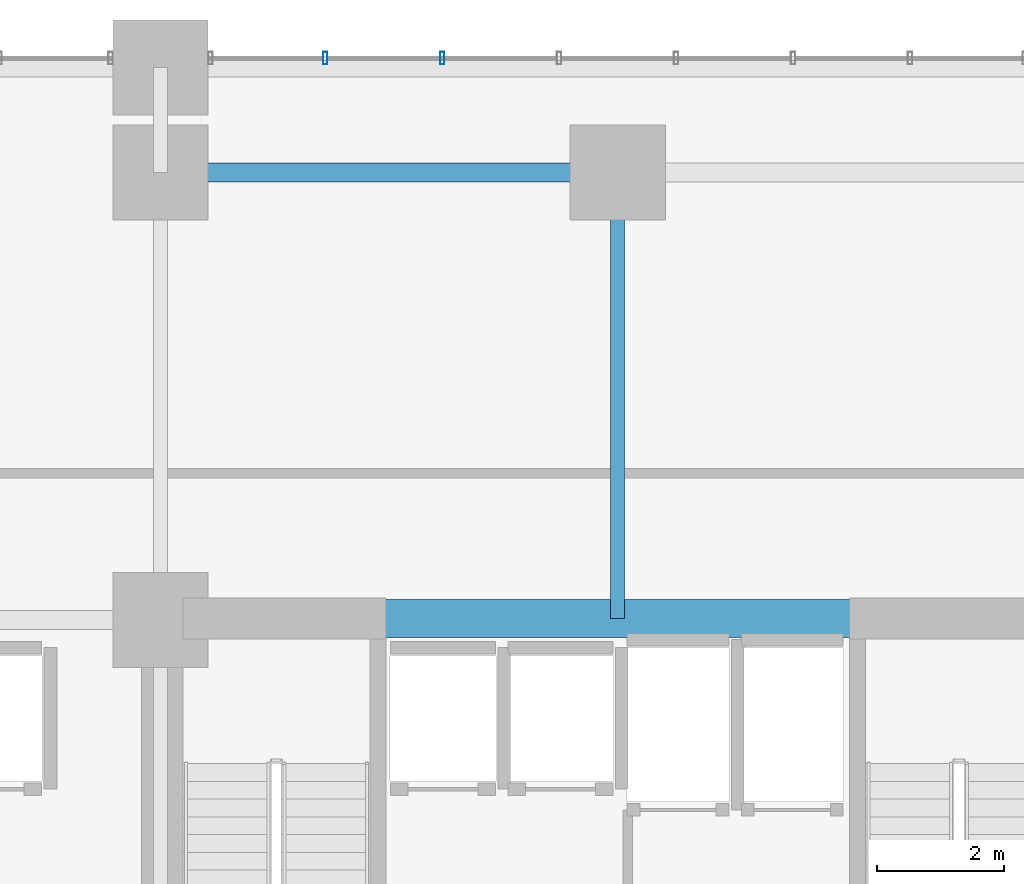
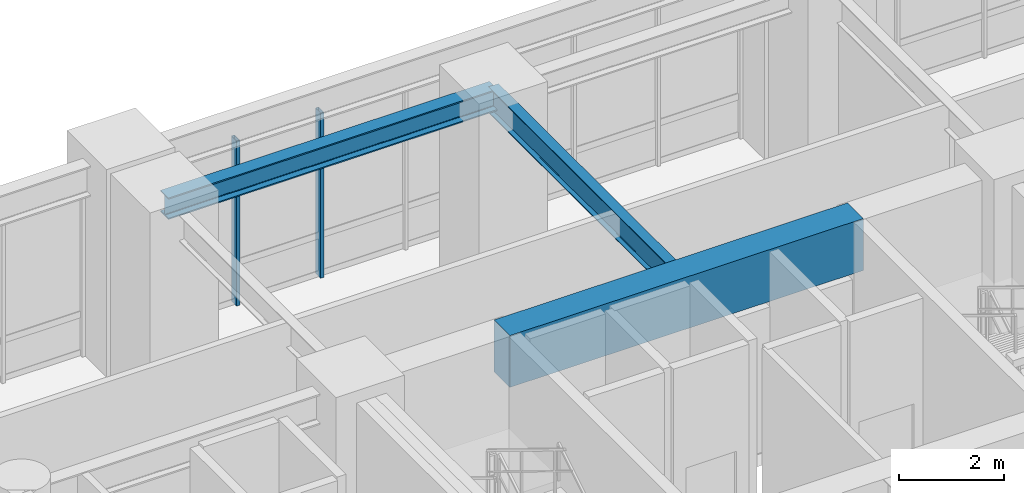
# One storey, part 4 of 22: 3 beams, 2 members, 1 element without a shape of its own.
"""IFC4 building model written with IfcOpenShell, lengths in metres."""

import ifcopenshell
import ifcopenshell.guid

model = None  # the IFC model being written
_history = None  # IfcOwnerHistory: only IFC2X3 demands one
_inside = {}  # id of a spatial element -> (the spatial element, [elements in it])
_under = {}  # id of a project, library or spatial element -> (it, [spatial elements below it])
_declared = {}  # id of a project -> (the project, [libraries it declares])
_typed = {}  # id of a type object -> (the type object, [elements of that type])
_made_of = {}  # id of a material, layer set ... -> (it, [elements and type objects made of it])


def new_model(schema):
    """Start an empty IFC model of exactly this schema.

    Asked for "IFC4X3", IfcOpenShell would pick the latest addendum, in which some entities
    have other attributes; the version numbers below select the first issue.
    IFC2X3 requires an IfcOwnerHistory on every rooted entity: one is made here for all.
    """
    global model, _history
    if schema == "IFC4X3":
        model = ifcopenshell.file(schema_version=(4, 3, 0, 0))
    else:
        model = ifcopenshell.file(schema=schema)
    _inside.clear()
    _under.clear()
    _declared.clear()
    _typed.clear()
    _made_of.clear()
    _history = None
    if model.schema == "IFC2X3":
        org = make("IfcOrganization", Name="unknown")
        user = make(
            "IfcPersonAndOrganization",
            ThePerson=make("IfcPerson", FamilyName="unknown"),
            TheOrganization=org,
        )
        app = make(
            "IfcApplication",
            ApplicationDeveloper=org,
            Version="unknown",
            ApplicationFullName="unknown",
            ApplicationIdentifier="unknown",
        )
        _history = make(
            "IfcOwnerHistory",
            OwningUser=user,
            OwningApplication=app,
            ChangeAction="ADDED",
            CreationDate=0,
        )
    return model


def make(cls, **values):
    """One entity of the class cls with the attributes given. An attribute that is None is left unset."""
    return model.create_entity(
        cls, **{name: value for name, value in values.items() if value is not None}
    )


def rooted(cls, **values):
    """An entity with a GlobalId (a new one), such as an element, a storey or a relation."""
    return make(cls, GlobalId=ifcopenshell.guid.new(), OwnerHistory=_history, **values)


def si_unit(unit_type, name, prefix=None):
    """IfcSIUnit, for example si_unit("LENGTHUNIT", "METRE", prefix="MILLI")."""
    return make("IfcSIUnit", UnitType=unit_type, Prefix=prefix, Name=name)


def assignment(units):
    """IfcUnitAssignment: the units of a project."""
    return None if units is None else make("IfcUnitAssignment", Units=units)


def point(xyz):
    """IfcCartesianPoint."""
    return None if xyz is None else make("IfcCartesianPoint", Coordinates=xyz)


def direction(xyz):
    """IfcDirection."""
    return None if xyz is None else make("IfcDirection", DirectionRatios=xyz)


def frame(location, z_axis=None, x_axis=None):
    """IfcAxis2Placement3D, a coordinate frame: its origin and axes. An axis left out is left unset."""
    return make(
        "IfcAxis2Placement3D",
        Location=point(location),
        Axis=direction(z_axis),
        RefDirection=direction(x_axis),
    )


def frame_2d(location, x_axis=None):
    """IfcAxis2Placement2D, a coordinate frame in the plane: its origin and x axis."""
    return make(
        "IfcAxis2Placement2D", Location=point(location), RefDirection=direction(x_axis)
    )


def origin():
    """The frame at (0, 0, 0) with its axes left unset."""
    return frame((0.0, 0.0, 0.0))


def origin_2d():
    """The frame at (0, 0) in the plane with its x axis left unset."""
    return frame_2d((0.0, 0.0))


def place(relative_to, where):
    """IfcLocalPlacement: puts the frame where relative to a parent placement (None: the world)."""
    return make(
        "IfcLocalPlacement", PlacementRelTo=relative_to, RelativePlacement=where
    )


def context(
    kind, dimensions, precision=None, world=None, true_north=None, identifier=None
):
    """IfcGeometricRepresentationContext, for example the 3D "Model" context."""
    return make(
        "IfcGeometricRepresentationContext",
        ContextIdentifier=identifier,
        ContextType=kind,
        CoordinateSpaceDimension=dimensions,
        Precision=precision,
        WorldCoordinateSystem=world,
        TrueNorth=true_north,
    )


def subcontext(parent, identifier, kind, view, scale=None):
    """IfcGeometricRepresentationSubContext, for example "Body" below "Model"."""
    return make(
        "IfcGeometricRepresentationSubContext",
        ContextIdentifier=identifier,
        ContextType=kind,
        ParentContext=parent,
        TargetScale=scale,
        TargetView=view,
    )


def project(units=None, contexts=None):
    """IfcProject with its units and contexts."""
    return rooted(
        "IfcProject",
        Name="project",
        RepresentationContexts=contexts,
        UnitsInContext=assignment(units),
    )


def spatial(cls, under=None, at=None, **own):
    """A site, building, storey or space (cls), placed at a placement, below another one or the project."""
    s = rooted(cls, ObjectPlacement=at, **own)
    if under is not None:
        _under.setdefault(under.id(), (under, []))[1].append(s)
    return s


def profile(cls, at=None, kind="AREA", **sizes):
    """A parametric profile (cls). Its sizes go by their IFC names, for example OverallWidth=200.0."""
    return make(cls, ProfileType=kind, Position=at, **sizes)


def rectangle(**sizes):
    """IfcRectangleProfileDef."""
    return profile("IfcRectangleProfileDef", **sizes)


def hollow_rectangle(**sizes):
    """IfcRectangleHollowProfileDef."""
    return profile("IfcRectangleHollowProfileDef", **sizes)


def i_section(**sizes):
    """IfcIShapeProfileDef."""
    return profile("IfcIShapeProfileDef", **sizes)


def extrude(swept, where, along, depth):
    """IfcExtrudedAreaSolid: the profile swept, set in the frame where, extruded along a direction by depth."""
    return make(
        "IfcExtrudedAreaSolid",
        SweptArea=swept,
        Position=where,
        ExtrudedDirection=direction(along),
        Depth=depth,
    )


def shape(context_of_items, identifier, shape_type, items):
    """IfcShapeRepresentation: the items that make up one representation, for example the "Body"."""
    return make(
        "IfcShapeRepresentation",
        ContextOfItems=context_of_items,
        RepresentationIdentifier=identifier,
        RepresentationType=shape_type,
        Items=items,
    )


def source(mapping_origin, context_of_items, identifier, shape_type, items):
    """IfcRepresentationMap: a shape defined once, which mapped items show again and again."""
    return make(
        "IfcRepresentationMap",
        MappingOrigin=mapping_origin,
        MappedRepresentation=shape(context_of_items, identifier, shape_type, items),
    )


def transform(
    local_origin,
    x_axis=None,
    y_axis=None,
    z_axis=None,
    scale=None,
    scale2=None,
    scale3=None,
    uniform=True,
):
    """IfcCartesianTransformationOperator3D, or its non-uniform kind. x_axis, y_axis, z_axis: its Axis1, 2, 3."""
    if uniform:
        return make(
            "IfcCartesianTransformationOperator3D",
            Axis1=direction(x_axis),
            Axis2=direction(y_axis),
            LocalOrigin=point(local_origin),
            Scale=scale,
            Axis3=direction(z_axis),
        )
    return make(
        "IfcCartesianTransformationOperator3DnonUniform",
        Axis1=direction(x_axis),
        Axis2=direction(y_axis),
        LocalOrigin=point(local_origin),
        Scale=scale,
        Axis3=direction(z_axis),
        Scale2=scale2,
        Scale3=scale3,
    )


def mapped(mapping_source, mapping_target):
    """IfcMappedItem: shows the shape of a source again, moved by a transform."""
    return make(
        "IfcMappedItem", MappingSource=mapping_source, MappingTarget=mapping_target
    )


def material(Name=None, Category=None):
    """IfcMaterial."""
    return make("IfcMaterial", Name=Name, Category=Category)


def layer(
    of_material, thickness, ventilated=None, Name=None, Category=None, Priority=None
):
    """IfcMaterialLayer: one layer of a wall or slab, of a material (None: an air gap)."""
    return make(
        "IfcMaterialLayer",
        Material=of_material,
        LayerThickness=thickness,
        IsVentilated=ventilated,
        Name=Name,
        Category=Category,
        Priority=Priority,
    )


def layer_set(layers, Name=None):
    """IfcMaterialLayerSet."""
    return make("IfcMaterialLayerSet", MaterialLayers=layers, LayerSetName=Name)


def material_profile(
    of_material, cross_section, Name=None, Category=None, Priority=None
):
    """IfcMaterialProfile: a cross section and its material."""
    return make(
        "IfcMaterialProfile",
        Name=Name,
        Material=of_material,
        Profile=cross_section,
        Priority=Priority,
        Category=Category,
    )


def profile_set(profiles, Name=None, composite=None):
    """IfcMaterialProfileSet."""
    return make(
        "IfcMaterialProfileSet",
        Name=Name,
        MaterialProfiles=profiles,
        CompositeProfile=composite,
    )


def made_of(thing, what):
    """Note that an element or type object is made of a material, layer set ...; save() writes the relation."""
    if what is not None:
        _made_of.setdefault(what.id(), (what, []))[1].append(thing)
    return thing


def type_object(cls, material=None, **own):
    """A type object (cls), such as IfcWallType, which elements share."""
    return made_of(rooted(cls, **own), material)


def element(
    cls,
    number,
    at=None,
    inside=None,
    cuts=None,
    type_object=None,
    material=None,
    context=None,
    identifier="Body",
    shape_type=None,
    held_by="IfcProductDefinitionShape",
    body=None,
    shapes=None,
    **own,
):
    """One element of the class cls, such as IfcWall. Its Tag is "e" and its number.

    at: its placement. inside: the storey or other place that contains it. cuts: it is an
    opening in that element (IfcRelVoidsElement). A single representation is given by context,
    identifier, shape_type and body (its items); several are given by shapes. held_by: the class
    of the entity that holds the representations. save() writes the other relations.
    """
    e = rooted(cls, Tag="e%d" % number, ObjectPlacement=at, **own)
    if body is not None:
        shapes = [shape(context, identifier, shape_type, body)]
    if shapes is not None:
        e.Representation = make(held_by, Representations=shapes)
    if inside is not None:
        _inside.setdefault(inside.id(), (inside, []))[1].append(e)
    if cuts is not None:
        rooted(
            "IfcRelVoidsElement", RelatingBuildingElement=cuts, RelatedOpeningElement=e
        )
    if type_object is not None:
        _typed.setdefault(type_object.id(), (type_object, []))[1].append(e)
    return made_of(e, material)


def aggregate(whole, parts):
    """IfcRelAggregates: a whole, such as a stair, and the parts it consists of."""
    return rooted("IfcRelAggregates", RelatingObject=whole, RelatedObjects=parts)


def save(model, path):
    """Write the relations noted so far, then the file.

    IfcRelAggregates (storeys below a building ...), IfcRelContainedInSpatialStructure (elements
    in a storey), IfcRelDefinesByType, IfcRelAssociatesMaterial and IfcRelDeclares: one each for
    every whole, place, type object, material and project.
    """
    for whole, parts in _under.values():
        aggregate(whole, parts)
    for where, things in _inside.values():
        rooted(
            "IfcRelContainedInSpatialStructure",
            RelatedElements=things,
            RelatingStructure=where,
        )
    for kind, things in _typed.values():
        rooted("IfcRelDefinesByType", RelatedObjects=things, RelatingType=kind)
    for what, things in _made_of.values():
        rooted("IfcRelAssociatesMaterial", RelatedObjects=things, RelatingMaterial=what)
    for by, libraries in _declared.values():
        rooted("IfcRelDeclares", RelatingContext=by, RelatedDefinitions=libraries)
    model.write(path)


model = new_model("IFC4")

# Units and contexts
model_context = context("Model", 3, precision=1e-05, world=origin(), true_north=direction((0.0, 1.0)))
body_context = subcontext(model_context, "Body", "Model", "MODEL_VIEW")
ifc_project = project(units=[si_unit("LENGTHUNIT", "METRE"), si_unit("AREAUNIT", "SQUARE_METRE"), si_unit("VOLUMEUNIT", "CUBIC_METRE"), si_unit("PLANEANGLEUNIT", "RADIAN"), si_unit("MASSUNIT", "GRAM", prefix="KILO")], contexts=[model_context])

# Site, building, storey
site_placement = place(None, origin())
site = spatial("IfcSite", under=ifc_project, at=site_placement, CompositionType="ELEMENT")
building_placement = place(site_placement, origin())
building = spatial("IfcBuilding", under=site, at=building_placement, Name="Kaliganga Portal Commons", CompositionType="ELEMENT")
storey_placement = place(building_placement, frame((0.0, 0.0, 10.199951171875)))
storey = spatial("IfcBuildingStorey", under=building, at=storey_placement, Name="L02", CompositionType="ELEMENT", Elevation=10.199951171875)

# Beams
ifc_material_1 = material(Name="Concrete C60/75", Category="concrete")
ifc_material_profile_1 = material_profile(ifc_material_1, rectangle(XDim=0.60009765625, YDim=1.199951171875, at=origin_2d()), Name="RC 600x1200")
ifc_profile_set_1 = profile_set([ifc_material_profile_1], Name="Concrete C60/75")
beam_type_1 = type_object("IfcBeamType", Name="BM-CPL-1200", PredefinedType="LINTEL", material=ifc_profile_set_1)
shared_shape_1 = source(origin(), body_context, "Body", "SweptSolid", [
    extrude(rectangle(XDim=0.60009765625, YDim=1.199951171875, at=origin_2d()), origin(), (0.0, 0.0, 1.0), 7.739990234375),
])
beam_1_placement = place(storey_placement, frame((17.72998046875, 36.175048828125, 3.920166015625), z_axis=(1.0, 0.0, 0.0), x_axis=(0.0, 1.0, 0.0)))
element("IfcBeam", 1, at=beam_1_placement, inside=storey, type_object=beam_type_1, Name="BM CPL COREA L02 N", PredefinedType="LINTEL", context=body_context, shape_type="MappedRepresentation", body=[
    mapped(shared_shape_1, transform((0.0, 0.0, 0.0), x_axis=(1.0, 0.0, 0.0), y_axis=(0.0, 1.0, 0.0), z_axis=(0.0, 0.0, 1.0), scale=1.0)),
])
ifc_material_2 = material(Name="Structural steel S355J2", Category="steel")
ifc_material_profile_2 = material_profile(ifc_material_2, i_section(OverallWidth=0.219970703125, OverallDepth=0.60009765625, WebThickness=0.011962890625, FlangeThickness=0.01904296875, FilletRadius=0.02392578125, at=origin_2d()), Name="IPE 600")
ifc_profile_set_2 = profile_set([ifc_material_profile_2], Name="Structural steel S355J2 wide-flange")
beam_type_2 = type_object("IfcBeamType", Name="BM-FLR-600", PredefinedType="BEAM", material=ifc_profile_set_2)
shared_shape_2 = source(origin(), body_context, "Body", "SweptSolid", [
    extrude(i_section(OverallWidth=0.219970703125, OverallDepth=0.60009765625, WebThickness=0.011962890625, FlangeThickness=0.01904296875, FilletRadius=0.02392578125, at=origin_2d()), origin(), (0.0, 0.0, 1.0), 7.02490234375),
])
beam_2_placement = place(storey_placement, frame((21.60009765625, 36.175048828125, 4.219970703125), z_axis=(0.0, 1.0, 0.0), x_axis=(-1.0, 0.0, 0.0)))
element("IfcBeam", 2, at=beam_2_placement, inside=storey, type_object=beam_type_2, Name="BM G L02 AN216", PredefinedType="BEAM", context=body_context, shape_type="MappedRepresentation", body=[
    mapped(shared_shape_2, transform((0.0, 0.0, 0.0), x_axis=(1.0, 0.0, 0.0), y_axis=(0.0, 1.0, 0.0), z_axis=(0.0, 0.0, 1.0), scale=1.0)),
])
ifc_material_profile_3 = material_profile(ifc_material_2, i_section(OverallWidth=0.300048828125, OverallDepth=0.5, WebThickness=0.014404296875, FlangeThickness=0.028076171875, FilletRadius=0.027099609375, at=origin_2d()), Name="HE 500 B")
ifc_profile_set_3 = profile_set([ifc_material_profile_3], Name="Structural steel S355J2 wide-flange")
beam_type_3 = type_object("IfcBeamType", Name="BM-SPAND-500", PredefinedType="SPANDREL", material=ifc_profile_set_3)
shared_shape_3 = source(origin(), body_context, "Body", "SweptSolid", [
    extrude(i_section(OverallWidth=0.300048828125, OverallDepth=0.5, WebThickness=0.014404296875, FlangeThickness=0.028076171875, FilletRadius=0.027099609375, at=origin_2d()), origin(), (0.0, 0.0, 1.0), 7.2001953125),
])
beam_3_placement = place(storey_placement, frame((14.39990234375, 43.199951171875, 4.27001953125), z_axis=(1.0, 0.0, 0.0), x_axis=(0.0, 1.0, 0.0)))
element("IfcBeam", 3, at=beam_3_placement, inside=storey, type_object=beam_type_3, Name="BM SP L02 AN 1", PredefinedType="SPANDREL", context=body_context, shape_type="MappedRepresentation", body=[
    mapped(shared_shape_3, transform((0.0, 0.0, 0.0), x_axis=(1.0, 0.0, 0.0), y_axis=(0.0, 1.0, 0.0), z_axis=(0.0, 0.0, 1.0), scale=1.0)),
])

# Curtain wall, members
ifc_material_3 = material(Name="Anodized Aluminium and Laminated Low-E Glass", Category="aluminium")
ifc_layer = layer(ifc_material_3, 0.219970703125)
ifc_layer_set = layer_set([ifc_layer], Name="Anodized Aluminium and Laminated Low-E Glass")
curtain_wall_type = type_object("IfcCurtainWallType", Name="CW-SYS-01", PredefinedType="NOTDEFINED", material=ifc_layer_set)
curtain_wall_placement = place(storey_placement, origin())
curtain_wall = element("IfcCurtainWall", 4, at=curtain_wall_placement, inside=storey, type_object=curtain_wall_type, Name="CW 01 L02 P1E02S6", PredefinedType="NOTDEFINED")
ifc_material_4 = material(Name="Dark Bronze Anodized Aluminium", Category="aluminium")
ifc_material_profile_4 = material_profile(ifc_material_4, hollow_rectangle(XDim=0.070068359375, YDim=0.199951171875, WallThickness=0.00390625, at=origin_2d()), Name="ALU MULL 70x200x4")
ifc_profile_set_4 = profile_set([ifc_material_profile_4], Name="Dark Bronze Anodized Aluminium")
member_type = type_object("IfcMemberType", Name="CW-MUL-220", PredefinedType="MULLION", material=ifc_profile_set_4)
shared_shape_4 = source(origin(), body_context, "Body", "SweptSolid", [
    extrude(hollow_rectangle(XDim=0.070068359375, YDim=0.199951171875, WallThickness=0.00390625, at=origin_2d()), origin(), (0.0, 0.0, 1.0), 3.820068359375),
])
member_1_placement = place(storey_placement, frame((18.836181640625, 45.0, 0.0), z_axis=(0.0, 0.0, 1.0), x_axis=(-1.0, 0.0, 0.0)))
member_1 = element("IfcMember", 5, at=member_1_placement, type_object=member_type, Name="CW:01:L02:P1E02S6 Mullion 05", PredefinedType="MULLION", context=body_context, shape_type="MappedRepresentation", body=[
    mapped(shared_shape_4, transform((0.0, 0.0, 0.0), x_axis=(1.0, 0.0, 0.0), y_axis=(0.0, 1.0, 0.0), z_axis=(0.0, 0.0, 1.0), scale=1.0)),
])
member_2_placement = place(storey_placement, frame((16.99365234375, 45.0, 0.0), z_axis=(0.0, 0.0, 1.0), x_axis=(-1.0, 0.0, 0.0)))
member_2 = element("IfcMember", 6, at=member_2_placement, type_object=member_type, Name="CW:01:L02:P1E02S6 Mullion 06", PredefinedType="MULLION", context=body_context, shape_type="MappedRepresentation", body=[
    mapped(shared_shape_4, transform((0.0, 0.0, 0.0), x_axis=(1.0, 0.0, 0.0), y_axis=(0.0, 1.0, 0.0), z_axis=(0.0, 0.0, 1.0), scale=1.0)),
])
aggregate(curtain_wall, [member_1, member_2])

save(model, "model.ifc")
